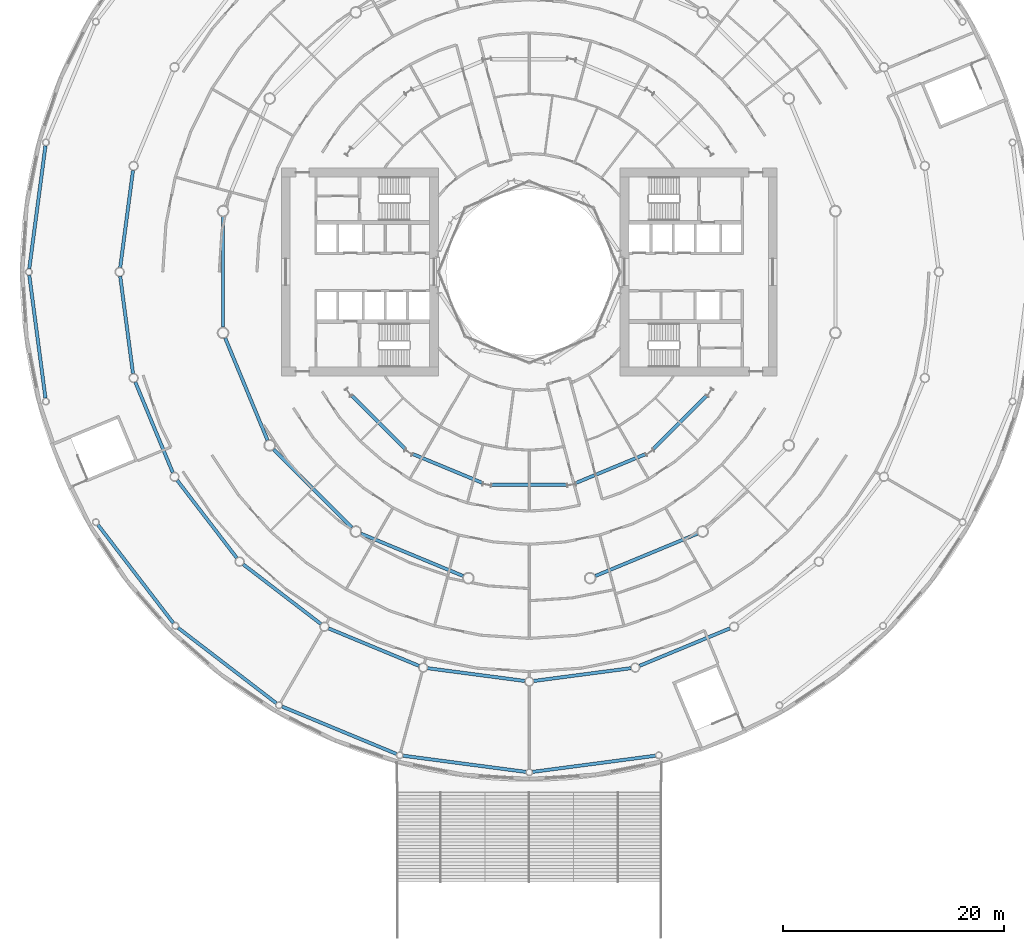
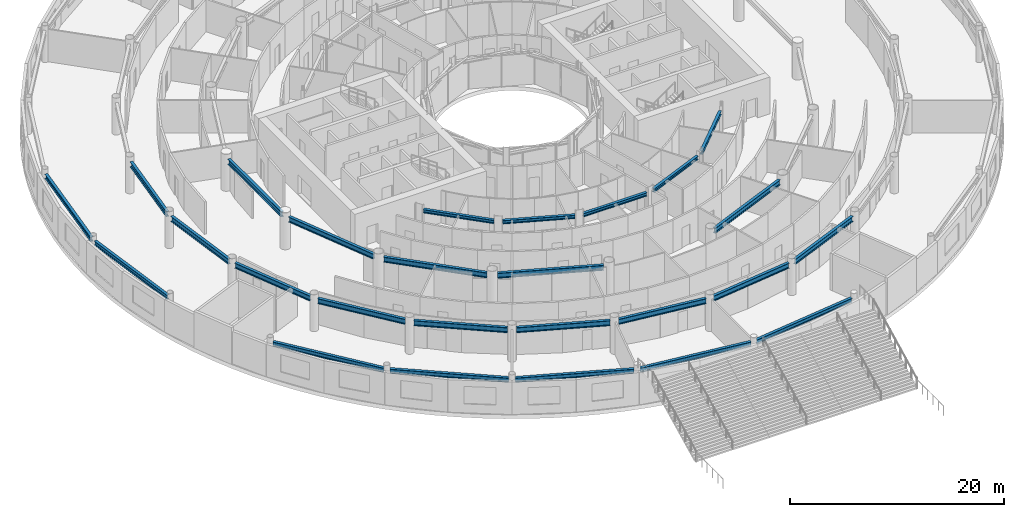
# One storey, part 7 of 29: 26 beams.
"""IFC4 building model written with IfcOpenShell, lengths in metres."""

from ifc_helpers import new_model, si_unit, direction, frame, origin, origin_2d, place, context, subcontext, project, spatial, i_section, extrude, material, material_profile, profile_set, type_object, element, save


model = new_model("IFC4")

# Units and contexts
model_context = context("Model", 3, precision=1e-05, world=origin(), true_north=direction((0.0, 1.0)))
body_context = subcontext(model_context, "Body", "Model", "MODEL_VIEW")
ifc_project = project(units=[si_unit("LENGTHUNIT", "METRE"), si_unit("AREAUNIT", "SQUARE_METRE"), si_unit("VOLUMEUNIT", "CUBIC_METRE"), si_unit("PLANEANGLEUNIT", "RADIAN"), si_unit("MASSUNIT", "GRAM", prefix="KILO")], contexts=[model_context])

# Site, building, storey
site_placement = place(None, origin())
site = spatial("IfcSite", under=ifc_project, at=site_placement, CompositionType="ELEMENT")
building_placement = place(site_placement, origin())
building = spatial("IfcBuilding", under=site, at=building_placement, Name="Maasbend Ring Residences", CompositionType="ELEMENT")
storey_placement = place(building_placement, frame((0.0, 0.0, 5.39990234375)))
storey = spatial("IfcBuildingStorey", under=building, at=storey_placement, Name="L01", CompositionType="ELEMENT", Elevation=5.39990234375)

# Beams
ifc_material_1 = material(Name="Steel S355J2", Category="steel")
ifc_material_profile_1 = material_profile(ifc_material_1, i_section(OverallWidth=0.300048828125, OverallDepth=0.39990234375, WebThickness=0.013427734375, FlangeThickness=0.02392578125, FilletRadius=0.027099609375, at=origin_2d()), Name="HEB 400")
ifc_profile_set_1 = profile_set([ifc_material_profile_1], Name="Steel S355J2")
beam_type_1 = type_object("IfcBeamType", Name="Corridor ring beam HEB 400", PredefinedType="BEAM", material=ifc_profile_set_1)
for number, where, z_axis, x_axis, name in (
    (1, (-16.00341796875, -11.1826171875, 3.5), (0.707106781187, -0.707106781187, 0.0), (0.707106781187, 0.707106781187, 0.0), "Corridor ring beam"),
    (2, (-10.505859375, -16.45556640625, 3.5), (0.92387061516, -0.382704960046, 0.0), (0.382704960046, 0.92387061516, 0.0), "Corridor ring beam"),
):
    element("IfcBeam", number, at=place(storey_placement, frame(where, z_axis=z_axis, x_axis=x_axis)), inside=storey, type_object=beam_type_1, Name=name, PredefinedType="BEAM", context=body_context, shape_type="SweptSolid", body=[
        extrude(i_section(OverallWidth=0.300048828125, OverallDepth=0.39990234375, WebThickness=0.013427734375, FlangeThickness=0.02392578125, FilletRadius=0.027099609375, at=origin_2d()), origin(), (0.0, 0.0, 1.0), 6.817626953125),
    ])
beam_1_placement = place(storey_placement, frame((-3.40869140625, -19.223388671875, 3.5), z_axis=(1.0, 0.0, 0.0), x_axis=(0.0, 1.0, 0.0)))
element("IfcBeam", 3, at=beam_1_placement, inside=storey, type_object=beam_type_1, Name="Corridor ring beam", PredefinedType="BEAM", context=body_context, shape_type="SweptSolid", body=[
    extrude(i_section(OverallWidth=0.300048828125, OverallDepth=0.39990234375, WebThickness=0.013427734375, FlangeThickness=0.02392578125, FilletRadius=0.027099609375, at=origin_2d()), origin(), (0.0, 0.0, 1.0), 6.8173828125),
])
for number, where, z_axis, x_axis, name in (
    (4, (4.207275390625, -19.064697265625, 3.5), (0.92387061516, 0.382704960046, 0.0), (-0.382704960046, 0.92387061516, 0.0), "Corridor ring beam"),
    (5, (11.1826171875, -16.00341796875, 3.5), (0.707106781187, 0.707106781187, 0.0), (-0.707106781187, 0.707106781187, 0.0), "Corridor ring beam"),
):
    element("IfcBeam", number, at=place(storey_placement, frame(where, z_axis=z_axis, x_axis=x_axis)), inside=storey, type_object=beam_type_1, Name=name, PredefinedType="BEAM", context=body_context, shape_type="SweptSolid", body=[
        extrude(i_section(OverallWidth=0.300048828125, OverallDepth=0.39990234375, WebThickness=0.013427734375, FlangeThickness=0.02392578125, FilletRadius=0.027099609375, at=origin_2d()), origin(), (0.0, 0.0, 1.0), 6.817626953125),
    ])
ifc_material_2 = material(Name="Steel S355J2", Category="steel")
ifc_material_profile_2 = material_profile(ifc_material_2, i_section(OverallWidth=0.300048828125, OverallDepth=0.5, WebThickness=0.014404296875, FlangeThickness=0.028076171875, FilletRadius=0.027099609375, at=origin_2d()), Name="HEB 500")
ifc_profile_set_2 = profile_set([ifc_material_profile_2], Name="Steel S355J2")
beam_type_2 = type_object("IfcBeamType", Name="Podium ring beam HEB 500", PredefinedType="BEAM", material=ifc_profile_set_2)
for number, where, z_axis, x_axis, name in (
    (6, (-43.69970703125, 11.396240234375, 3.4501953125), (-0.130519983501, -0.991445678747, 0.0), (0.991445678747, -0.130519983501, 0.0), "Podium ring beam"),
    (7, (-45.16015625, -0.302490234375, 3.4501953125), (0.130519983501, -0.991445678747, 0.0), (0.991445678747, 0.130519983501, 0.0), "Podium ring beam"),
    (8, (-38.95849609375, -22.842041015625, 3.4501953125), (0.608750763691, -0.793361523963, 0.0), (0.793361523963, 0.608750763691, 0.0), "Podium ring beam"),
    (9, (-31.71923828125, -32.14697265625, 3.4501953125), (0.793361523963, -0.608750763691, 0.0), (0.608750763691, 0.793361523963, 0.0), "Podium ring beam"),
    (10, (-22.318115234375, -39.260986328125, 3.4501953125), (0.923872164384, -0.382701220114, 0.0), (0.382701220114, 0.923872164384, 0.0), "Podium ring beam"),
    (11, (-11.396240234375, -43.69970703125, 3.4501953125), (0.991445678747, -0.130519983501, 0.0), (0.130519983501, 0.991445678747, 0.0), "Podium ring beam"),
    (12, (0.302490234375, -45.16015625, 3.4501953125), (0.991445678747, 0.130519983501, 0.0), (-0.130519983501, 0.991445678747, 0.0), "Podium ring beam"),
):
    element("IfcBeam", number, at=place(storey_placement, frame(where, z_axis=z_axis, x_axis=x_axis)), inside=storey, type_object=beam_type_2, Name=name, PredefinedType="BEAM", context=body_context, shape_type="SweptSolid", body=[
        extrude(i_section(OverallWidth=0.300048828125, OverallDepth=0.5, WebThickness=0.014404296875, FlangeThickness=0.028076171875, FilletRadius=0.027099609375, at=origin_2d()), origin(), (0.0, 0.0, 1.0), 11.189453125),
    ])
ifc_material_3 = material(Name="Steel S460M", Category="steel")
ifc_material_profile_3 = material_profile(ifc_material_3, i_section(OverallWidth=0.300048828125, OverallDepth=0.60009765625, WebThickness=0.015380859375, FlangeThickness=0.030029296875, FilletRadius=0.027099609375, at=origin_2d()), Name="HEB 600")
ifc_profile_set_3 = profile_set([ifc_material_profile_3], Name="Steel S460M")
beam_type_3 = type_object("IfcBeamType", Name="Podium ring beam HEB 600", PredefinedType="BEAM", material=ifc_profile_set_3)
for number, where, z_axis, x_axis, name in (
    (13, (-35.79248046875, 9.17333984375, 3.400146484375), (-0.13051662461, -0.991446120927, 0.0), (0.991446120927, -0.13051662461, 0.0), "Podium ring beam"),
    (14, (-36.947021484375, -0.403076171875, 3.400146484375), (0.13051662461, -0.991446120927, 0.0), (0.991446120927, 0.13051662461, 0.0), "Podium ring beam"),
    (15, (-35.583740234375, -9.951904296875, 3.400146484375), (0.382688167356, -0.923877571199, 0.0), (0.923877571199, 0.382688167356, 0.0), "Podium ring beam"),
    (16, (-31.79541015625, -18.822509765625, 3.400146484375), (0.608751326002, -0.793361092499, 0.0), (0.793361092499, 0.608751326002, 0.0), "Podium ring beam"),
    (17, (-25.840576171875, -26.410400390625, 3.400146484375), (0.793361092499, -0.608751326002, 0.0), (0.608751326002, 0.793361092499, 0.0), "Podium ring beam"),
    (18, (-18.12451171875, -32.198486328125, 3.400146484375), (0.923877571199, -0.382688167356, 0.0), (0.382688167356, 0.923877571199, 0.0), "Podium ring beam"),
    (19, (-9.17333984375, -35.79248046875, 3.400146484375), (0.991446120927, -0.13051662461, 0.0), (0.13051662461, 0.991446120927, 0.0), "Podium ring beam"),
    (20, (0.403076171875, -36.947021484375, 3.400146484375), (0.991446120927, 0.13051662461, 0.0), (-0.13051662461, 0.991446120927, 0.0), "Podium ring beam"),
    (21, (9.951904296875, -35.583740234375, 3.400146484375), (0.923877571199, 0.382688167356, 0.0), (-0.382688167356, 0.923877571199, 0.0), "Podium ring beam"),
):
    element("IfcBeam", number, at=place(storey_placement, frame(where, z_axis=z_axis, x_axis=x_axis)), inside=storey, type_object=beam_type_3, Name=name, PredefinedType="BEAM", context=body_context, shape_type="SweptSolid", body=[
        extrude(i_section(OverallWidth=0.300048828125, OverallDepth=0.60009765625, WebThickness=0.015380859375, FlangeThickness=0.030029296875, FilletRadius=0.027099609375, at=origin_2d()), origin(), (0.0, 0.0, 1.0), 8.845947265625),
    ])
ifc_material_4 = material(Name="Steel S460M", Category="steel")
ifc_material_profile_4 = material_profile(ifc_material_4, i_section(OverallWidth=0.300048828125, OverallDepth=0.60009765625, WebThickness=0.015380859375, FlangeThickness=0.030029296875, FilletRadius=0.027099609375, at=origin_2d()), Name="HEB 600")
ifc_profile_set_4 = profile_set([ifc_material_profile_4], Name="Steel S460M")
beam_type_4 = type_object("IfcBeamType", Name="Spandrel ring beam HEB 600", PredefinedType="SPANDREL", material=ifc_profile_set_4)
beam_2_placement = place(storey_placement, frame((-27.658203125, 4.993408203125, 3.400146484375), z_axis=(0.0, -1.0, 0.0), x_axis=(1.0, 0.0, 0.0)))
element("IfcBeam", 22, at=beam_2_placement, inside=storey, type_object=beam_type_4, Name="Spandrel ring beam", PredefinedType="SPANDREL", context=body_context, shape_type="SweptSolid", body=[
    extrude(i_section(OverallWidth=0.300048828125, OverallDepth=0.60009765625, WebThickness=0.015380859375, FlangeThickness=0.030029296875, FilletRadius=0.027099609375, at=origin_2d()), origin(), (0.0, 0.0, 1.0), 9.98681640625),
])
beam_3_placement = place(storey_placement, frame((-27.463623046875, -5.970703125, 3.400146484375), z_axis=(0.382667003395, -0.923886337442, 0.0), x_axis=(0.923886337442, 0.382667003395, 0.0)))
element("IfcBeam", 23, at=beam_3_placement, inside=storey, type_object=beam_type_4, Name="Spandrel ring beam", PredefinedType="SPANDREL", context=body_context, shape_type="SweptSolid", body=[
    extrude(i_section(OverallWidth=0.300048828125, OverallDepth=0.60009765625, WebThickness=0.015380859375, FlangeThickness=0.030029296875, FilletRadius=0.027099609375, at=origin_2d()), origin(), (0.0, 0.0, 1.0), 9.9873046875),
])
beam_4_placement = place(storey_placement, frame((-23.088134765625, -16.0263671875, 3.400146484375), z_axis=(0.707106781187, -0.707106781187, 0.0), x_axis=(0.707106781187, 0.707106781187, 0.0)))
element("IfcBeam", 24, at=beam_4_placement, inside=storey, type_object=beam_type_4, Name="Spandrel ring beam", PredefinedType="SPANDREL", context=body_context, shape_type="SweptSolid", body=[
    extrude(i_section(OverallWidth=0.300048828125, OverallDepth=0.60009765625, WebThickness=0.015380859375, FlangeThickness=0.030029296875, FilletRadius=0.027099609375, at=origin_2d()), origin(), (0.0, 0.0, 1.0), 9.98681640625),
])
for number, where, z_axis, x_axis, name in (
    (25, (-15.19775390625, -23.641845703125, 3.400146484375), (0.923886337442, -0.382667003395, 0.0), (0.382667003395, 0.923886337442, 0.0), "Spandrel ring beam"),
    (26, (5.970703125, -27.463623046875, 3.400146484375), (0.923886337442, 0.382667003395, 0.0), (-0.382667003395, 0.923886337442, 0.0), "Spandrel ring beam"),
):
    element("IfcBeam", number, at=place(storey_placement, frame(where, z_axis=z_axis, x_axis=x_axis)), inside=storey, type_object=beam_type_4, Name=name, PredefinedType="SPANDREL", context=body_context, shape_type="SweptSolid", body=[
        extrude(i_section(OverallWidth=0.300048828125, OverallDepth=0.60009765625, WebThickness=0.015380859375, FlangeThickness=0.030029296875, FilletRadius=0.027099609375, at=origin_2d()), origin(), (0.0, 0.0, 1.0), 9.9873046875),
    ])

save(model, "model.ifc")
